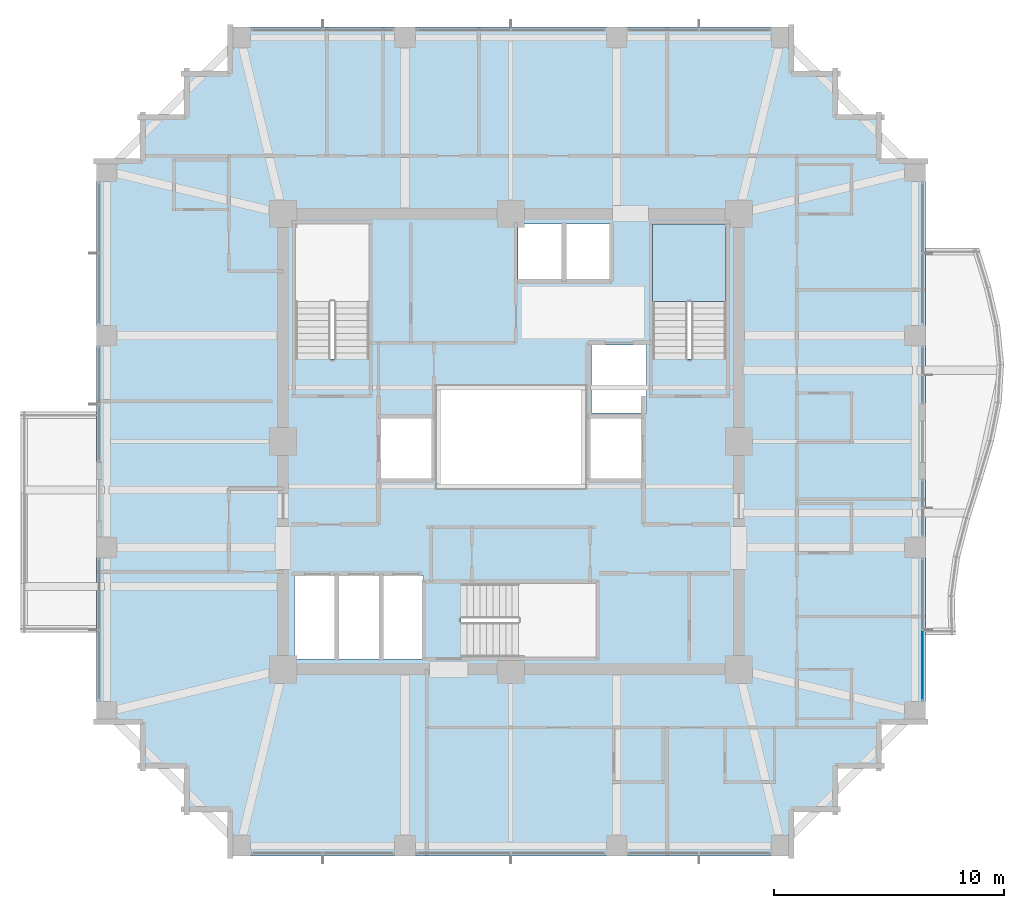
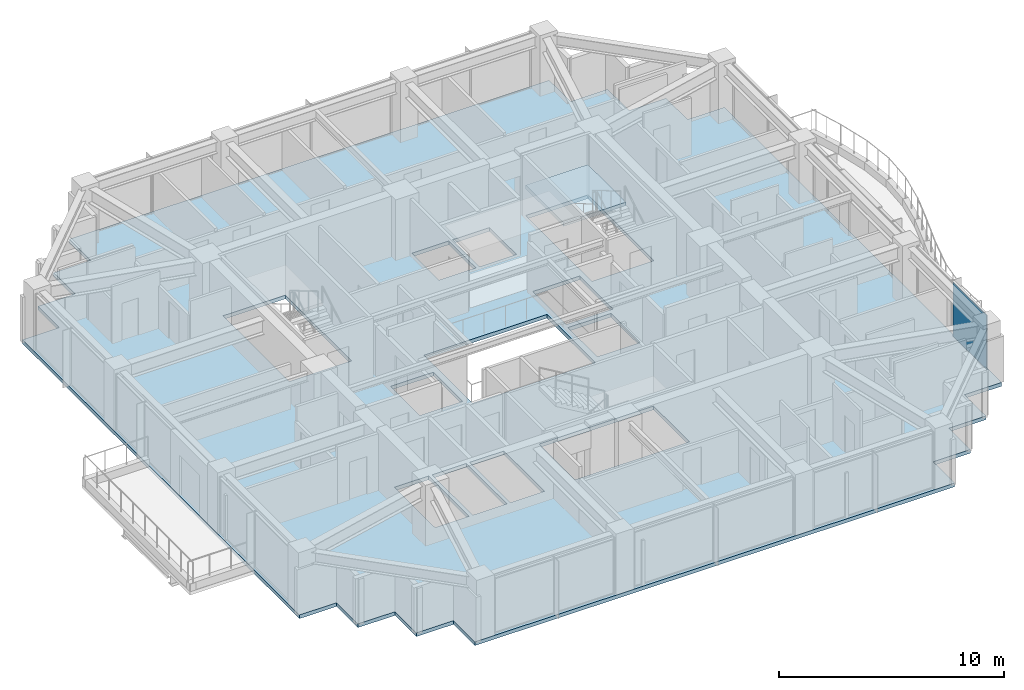
# One storey, part 24 of 32: 2 slabs, 1 plate, 2 elements without a shape of their own.
"""IFC4 building model written with IfcOpenShell, lengths in metres."""

from ifc_helpers import new_model, si_unit, direction, frame, origin, origin_2d, place, context, subcontext, project, spatial, polyline, rectangle, outline, extrude, material, layer, layer_set, type_object, element, aggregate, save


model = new_model("IFC4")

# Units and contexts
model_context = context("Model", 3, precision=1e-05, world=origin(), true_north=direction((0.0, 1.0)))
body_context = subcontext(model_context, "Body", "Model", "MODEL_VIEW")
ifc_project = project(units=[si_unit("LENGTHUNIT", "METRE"), si_unit("AREAUNIT", "SQUARE_METRE"), si_unit("VOLUMEUNIT", "CUBIC_METRE"), si_unit("PLANEANGLEUNIT", "RADIAN"), si_unit("MASSUNIT", "GRAM", prefix="KILO")], contexts=[model_context])

# Site, building, storey
site_placement = place(None, origin())
site = spatial("IfcSite", under=ifc_project, at=site_placement, CompositionType="ELEMENT")
building_placement = place(site_placement, origin())
building = spatial("IfcBuilding", under=site, at=building_placement, Name="Kolvaren Belvedere", CompositionType="ELEMENT")
storey_placement = place(building_placement, frame((0.0, 0.0, 141.5)))
storey = spatial("IfcBuildingStorey", under=building, at=storey_placement, Name="L41", CompositionType="ELEMENT", Elevation=141.5)

# Curtain wall, plate
ifc_material_1 = material(Name="Anodised pale-metal aluminium AA 6063-T6", Category="aluminium")
curtain_wall_type = type_object("IfcCurtainWallType", Name="CW-Z3-WAIST", PredefinedType="NOTDEFINED", material=ifc_material_1)
curtain_wall_placement = place(storey_placement, origin())
curtain_wall = element("IfcCurtainWall", 1, at=curtain_wall_placement, inside=storey, type_object=curtain_wall_type, Name="L41 Unitised Curtain Wall FCW-L41-E2-B2", PredefinedType="NOTDEFINED")
ifc_material_2 = material(Name="Low-iron triple insulated glass", Category="glass")
ifc_layer_1 = layer(ifc_material_2, 0.028076171875)
ifc_layer_set_1 = layer_set([ifc_layer_1], Name="Low-iron triple insulated glass")
plate_type = type_object("IfcPlateType", Name="CW-PNL-VIS28", PredefinedType="CURTAIN_PANEL", material=ifc_layer_set_1)
plate_placement = place(storey_placement, frame((17.8798828125, -9.711181640625, 0.080078125), z_axis=(0.0, 0.0, 1.0), x_axis=(0.0, -1.0, 0.0)))
plate = element("IfcPlate", 2, at=plate_placement, type_object=plate_type, Name="FCW-L41-E2-B2 Vision Glazing Panel 2", PredefinedType="CURTAIN_PANEL", context=body_context, shape_type="SweptSolid", body=[
    extrude(rectangle(XDim=2.992431640625, YDim=0.028076171875, at=origin_2d()), origin(), (0.0, 0.0, 1.0), 2.93994140625),
])
aggregate(curtain_wall, [plate])

# Slab
ifc_material_3 = material(Name="Concrete C50/60", Category="concrete")
ifc_layer_2 = layer(ifc_material_3, 0.199951171875)
ifc_layer_set_2 = layer_set([ifc_layer_2], Name="Concrete C50/60")
slab_type_1 = type_object("IfcSlabType", Name="SL-FLR-200", PredefinedType="FLOOR", material=ifc_layer_set_2)
slab_1_placement = place(storey_placement, frame((0.0, 0.0, -0.199951171875)))
element("IfcSlab", 3, at=slab_1_placement, inside=storey, type_object=slab_type_1, Name="L41 Primary Structural Slab", PredefinedType="FLOOR", context=body_context, shape_type="SweptSolid", body=[
    extrude(outline(polyline([(-12.300048828125, -18.0), (12.300048828125, -18.0), (12.300048828125, -16.10009765625), (14.199951171875, -16.10009765625), (14.199951171875, -14.199951171875), (16.10009765625, -14.199951171875), (16.10009765625, -12.300048828125), (18.0, -12.300048828125), (18.0, 12.300048828125), (16.10009765625, 12.300048828125), (16.10009765625, 14.199951171875), (14.199951171875, 14.199951171875), (14.199951171875, 16.10009765625), (12.300048828125, 16.10009765625), (12.300048828125, 18.0), (-12.300048828125, 18.0), (-12.300048828125, 16.10009765625), (-14.199951171875, 16.10009765625), (-14.199951171875, 14.199951171875), (-16.10009765625, 14.199951171875), (-16.10009765625, 12.300048828125), (-18.0, 12.300048828125), (-18.0, -12.300048828125), (-16.10009765625, -12.300048828125), (-16.10009765625, -14.199951171875), (-14.199951171875, -14.199951171875), (-14.199951171875, -16.10009765625), (-12.300048828125, -16.10009765625), (-12.300048828125, -18.0)]), holes=[polyline([(-9.35009765625, 3.580078125), (-6.159912109375, 3.580078125), (-6.159912109375, 9.449951171875), (-9.35009765625, 9.449951171875), (-9.35009765625, 3.580078125)]), polyline([(6.159912109375, 3.580078125), (9.35009765625, 3.580078125), (9.35009765625, 9.449951171875), (6.159912109375, 9.449951171875), (6.159912109375, 3.580078125)]), polyline([(-2.169921875, -9.35009765625), (3.699951171875, -9.35009765625), (3.699951171875, -6.159912109375), (-2.169921875, -6.159912109375), (-2.169921875, -9.35009765625)]), polyline([(-5.64990234375, -1.60009765625), (-3.449951171875, -1.60009765625), (-3.449951171875, 1.0), (-5.64990234375, 1.0), (-5.64990234375, -1.60009765625)]), polyline([(3.5, 1.25), (5.89990234375, 1.25), (5.89990234375, 4.199951171875), (3.5, 4.199951171875), (3.5, 1.25)]), polyline([(3.449951171875, -1.60009765625), (5.64990234375, -1.60009765625), (5.64990234375, 1.0), (3.449951171875, 1.0), (3.449951171875, -1.60009765625)]), polyline([(-9.39990234375, -9.449951171875), (-7.64990234375, -9.449951171875), (-7.64990234375, -5.85009765625), (-9.39990234375, -5.85009765625), (-9.39990234375, -9.449951171875)]), polyline([(-7.469970703125, -9.449951171875), (-5.719970703125, -9.449951171875), (-5.719970703125, -5.85009765625), (-7.469970703125, -5.85009765625), (-7.469970703125, -9.449951171875)]), polyline([(-5.5400390625, -9.449951171875), (-3.7900390625, -9.449951171875), (-3.7900390625, -5.85009765625), (-5.5400390625, -5.85009765625), (-5.5400390625, -9.449951171875)]), polyline([(0.320068359375, 7.050048828125), (2.219970703125, 7.050048828125), (2.219970703125, 9.449951171875), (0.320068359375, 9.449951171875), (0.320068359375, 7.050048828125)]), polyline([(2.39990234375, 7.050048828125), (4.300048828125, 7.050048828125), (4.300048828125, 9.449951171875), (2.39990234375, 9.449951171875), (2.39990234375, 7.050048828125)]), polyline([(-3.14990234375, -1.949951171875), (3.14990234375, -1.949951171875), (3.14990234375, 2.35009765625), (-3.14990234375, 2.35009765625), (-3.14990234375, -1.949951171875)])]), origin(), (0.0, 0.0, 1.0), 0.199951171875),
])

# Stair, slab
ifc_material_4 = material(Name="Concrete C50/60", Category="concrete")
stair_type = type_object("IfcStairType", Name="ST-CORE-1520", PredefinedType="HALF_TURN_STAIR", material=ifc_material_4)
stair_placement = place(storey_placement, origin())
stair = element("IfcStair", 4, at=stair_placement, inside=storey, type_object=stair_type, Name="L41 Protected Exit Stair ST-2", PredefinedType="HALF_TURN_STAIR")
ifc_material_5 = material(Name="Concrete C50/60", Category="concrete")
ifc_layer_3 = layer(ifc_material_5, 0.260009765625)
ifc_layer_set_3 = layer_set([ifc_layer_3], Name="Concrete C50/60")
slab_type_2 = type_object("IfcSlabType", Name="SL-LAND-260", PredefinedType="LANDING", material=ifc_layer_set_3)
slab_2_placement = place(storey_placement, frame((0.0, 0.0, 1.449951171875)))
slab_2 = element("IfcSlab", 5, at=slab_2_placement, type_object=slab_type_2, Name="ST-2 landing 1", PredefinedType="LANDING", context=body_context, shape_type="SweptSolid", body=[
    extrude(outline(polyline([(9.35009765625, 6.090087890625), (9.35009765625, 9.449951171875), (6.159912109375, 9.449951171875), (6.159912109375, 6.090087890625), (9.35009765625, 6.090087890625)])), origin(), (0.0, 0.0, 1.0), 0.199951171875),
])
aggregate(stair, [slab_2])

save(model, "model.ifc")
